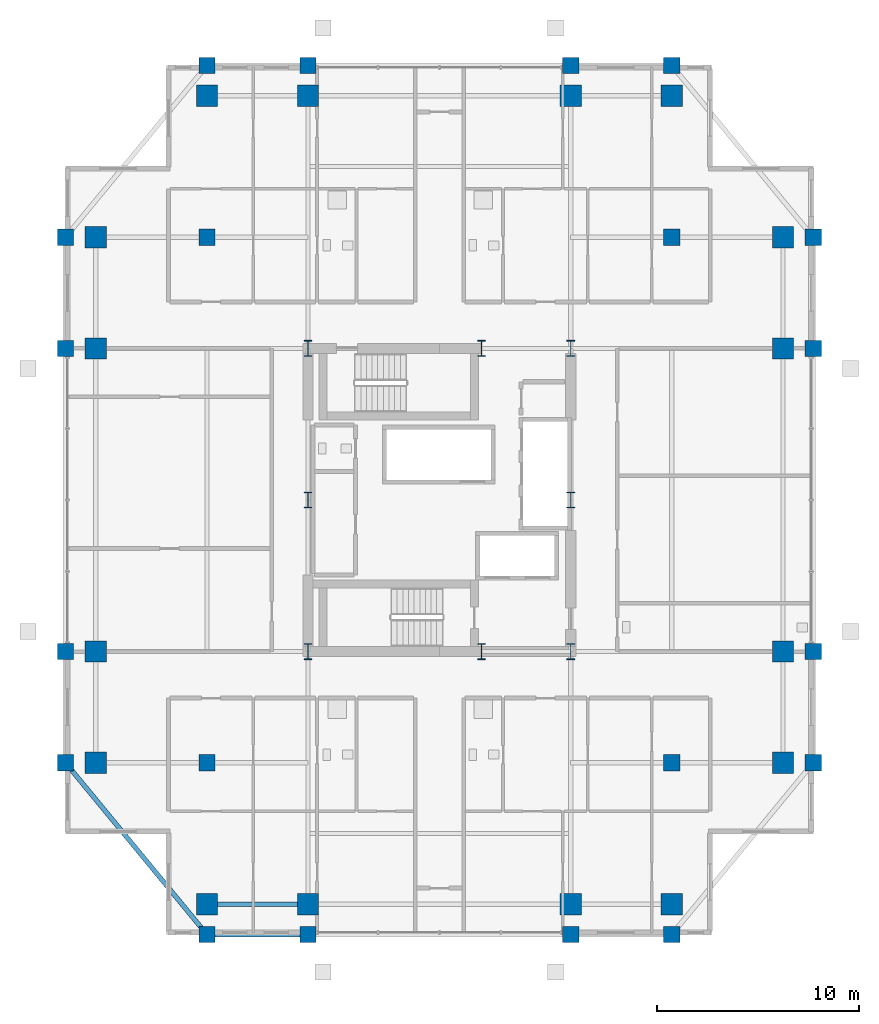
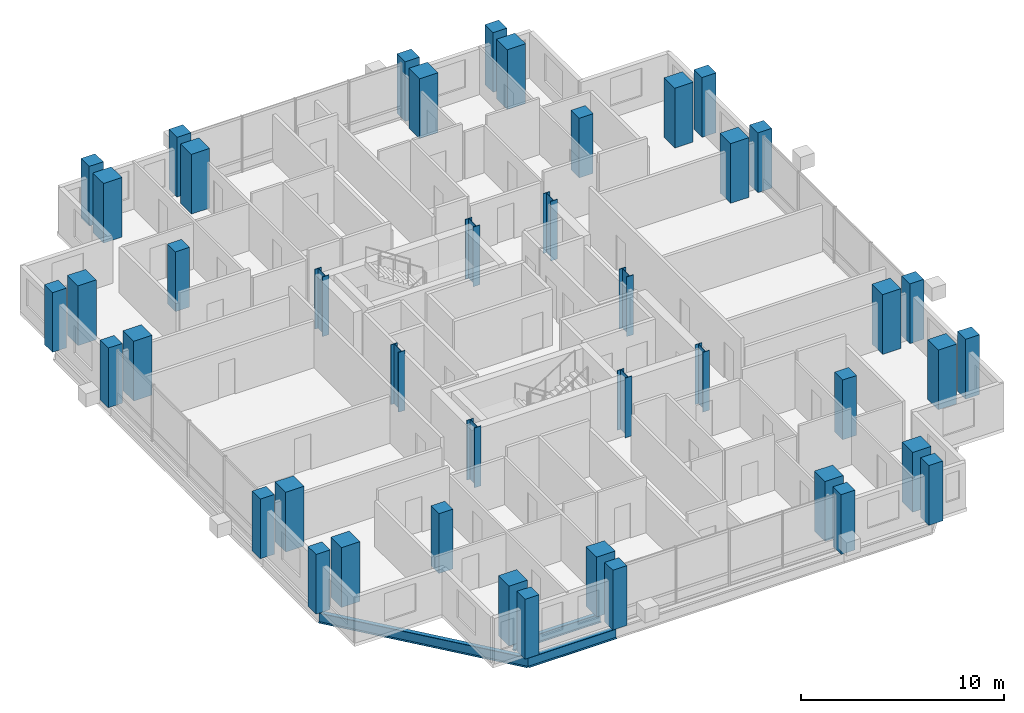
# One storey, part 1 of 24: 44 columns, 3 beams.
"""IFC4 building model written with IfcOpenShell, lengths in metres."""

from ifc_helpers import new_model, si_unit, direction, frame, origin, origin_2d, place, context, subcontext, project, spatial, rectangle, i_section, extrude, material, material_profile, profile_set, type_object, element, save


model = new_model("IFC4")

# Units and contexts
model_context = context("Model", 3, precision=1e-05, world=origin(), true_north=direction((0.0, 1.0)))
body_context = subcontext(model_context, "Body", "Model", "MODEL_VIEW")
ifc_project = project(units=[si_unit("LENGTHUNIT", "METRE"), si_unit("AREAUNIT", "SQUARE_METRE"), si_unit("VOLUMEUNIT", "CUBIC_METRE"), si_unit("PLANEANGLEUNIT", "RADIAN"), si_unit("MASSUNIT", "GRAM", prefix="KILO")], contexts=[model_context])

# Site, building, storey
site_placement = place(None, origin())
site = spatial("IfcSite", under=ifc_project, at=site_placement, CompositionType="ELEMENT")
building_placement = place(site_placement, origin())
building = spatial("IfcBuilding", under=site, at=building_placement, Name="Barlavira Tower and Art Museum", CompositionType="ELEMENT")
storey_placement = place(building_placement, frame((0.0, 0.0, 201.60009765625)))
storey = spatial("IfcBuildingStorey", under=building, at=storey_placement, Name="L52", CompositionType="ELEMENT", Elevation=201.60009765625)

# Columns
ifc_material_1 = material(Name="Steel S355", Category="steel")
ifc_material_profile_1 = material_profile(ifc_material_1, i_section(OverallWidth=0.382080078125, OverallDepth=0.785888671875, WebThickness=0.02001953125, FlangeThickness=0.032958984375, at=origin_2d()), Name="W760x314.0")
ifc_profile_set_1 = profile_set([ifc_material_profile_1], Name="Steel S355")
column_type_1 = type_object("IfcColumnType", Name="Core Composite Column W760x314 Steel S355", PredefinedType="COLUMN", material=ifc_profile_set_1)
for number, where, z_axis, x_axis, name in (
    (1, (-6.5, -7.5, 0.0), (0.0, 0.0, 1.0), (1.0, 0.0, 0.0), "L52 Column CC-L52-C1"),
    (2, (2.080078125, -7.5, 0.0), (0.0, 0.0, 1.0), (1.0, 0.0, 0.0), "L52 Column CC-L52-C2"),
    (3, (6.5, -7.5, 0.0), (0.0, 0.0, 1.0), (1.0, 0.0, 0.0), "L52 Column CC-L52-C3"),
    (4, (-6.5, 0.0, 0.0), (0.0, 0.0, 1.0), (1.0, 0.0, 0.0), "L52 Column CC-L52-C4"),
    (5, (6.5, 0.0, 0.0), (0.0, 0.0, 1.0), (1.0, 0.0, 0.0), "L52 Column CC-L52-C5"),
    (6, (-6.5, 7.5, 0.0), (0.0, 0.0, 1.0), (1.0, 0.0, 0.0), "L52 Column CC-L52-C6"),
    (7, (2.080078125, 7.5, 0.0), (0.0, 0.0, 1.0), (1.0, 0.0, 0.0), "L52 Column CC-L52-C7"),
    (8, (6.5, 7.5, 0.0), (0.0, 0.0, 1.0), (1.0, 0.0, 0.0), "L52 Column CC-L52-C8"),
):
    element("IfcColumn", number, at=place(storey_placement, frame(where, z_axis=z_axis, x_axis=x_axis)), inside=storey, type_object=column_type_1, Name=name, PredefinedType="COLUMN", context=body_context, shape_type="SweptSolid", body=[
        extrude(i_section(OverallWidth=0.382080078125, OverallDepth=0.785888671875, WebThickness=0.02001953125, FlangeThickness=0.032958984375, at=origin_2d()), origin(), (0.0, 0.0, 1.0), 3.599853515625),
    ])
ifc_material_2 = material(Name="Concrete C55", Category="concrete")
ifc_material_profile_2 = material_profile(ifc_material_2, rectangle(XDim=1.050048828125, YDim=1.050048828125, at=origin_2d()), Name="RC-COL 1050x1050")
ifc_profile_set_2 = profile_set([ifc_material_profile_2], Name="Concrete C55")
column_type_2 = type_object("IfcColumnType", Name="Perimeter Mega Column 1050x1050 Concrete C55", PredefinedType="USERDEFINED", material=ifc_profile_set_2)
for number, where, z_axis, x_axis, name in (
    (9, (-11.5, -20.0, 0.0), (0.0, 0.0, 1.0), (1.0, 0.0, 0.0), "L52 Column MC-L52-M01"),
    (10, (-6.5, -20.0, 0.0), (0.0, 0.0, 1.0), (1.0, 0.0, 0.0), "L52 Column MC-L52-M02"),
    (11, (6.5, -20.0, 0.0), (0.0, 0.0, 1.0), (1.0, 0.0, 0.0), "L52 Column MC-L52-M03"),
    (12, (11.5, -20.0, 0.0), (0.0, 0.0, 1.0), (1.0, 0.0, 0.0), "L52 Column MC-L52-M04"),
    (13, (17.0, -13.0, 0.0), (0.0, 0.0, 1.0), (1.0, 0.0, 0.0), "L52 Column MC-L52-M05"),
    (14, (17.0, -7.5, 0.0), (0.0, 0.0, 1.0), (1.0, 0.0, 0.0), "L52 Column MC-L52-M06"),
    (15, (17.0, 7.5, 0.0), (0.0, 0.0, 1.0), (1.0, 0.0, 0.0), "L52 Column MC-L52-M07"),
    (16, (17.0, 13.0, 0.0), (0.0, 0.0, 1.0), (1.0, 0.0, 0.0), "L52 Column MC-L52-M08"),
    (17, (11.5, 20.0, 0.0), (0.0, 0.0, 1.0), (1.0, 0.0, 0.0), "L52 Column MC-L52-M09"),
    (18, (6.5, 20.0, 0.0), (0.0, 0.0, 1.0), (1.0, 0.0, 0.0), "L52 Column MC-L52-M10"),
    (19, (-6.5, 20.0, 0.0), (0.0, 0.0, 1.0), (1.0, 0.0, 0.0), "L52 Column MC-L52-M11"),
    (20, (-11.5, 20.0, 0.0), (0.0, 0.0, 1.0), (1.0, 0.0, 0.0), "L52 Column MC-L52-M12"),
    (21, (-17.0, 13.0, 0.0), (0.0, 0.0, 1.0), (1.0, 0.0, 0.0), "L52 Column MC-L52-M13"),
    (22, (-17.0, 7.5, 0.0), (0.0, 0.0, 1.0), (1.0, 0.0, 0.0), "L52 Column MC-L52-M14"),
    (23, (-17.0, -7.5, 0.0), (0.0, 0.0, 1.0), (1.0, 0.0, 0.0), "L52 Column MC-L52-M15"),
    (24, (-17.0, -13.0, 0.0), (0.0, 0.0, 1.0), (1.0, 0.0, 0.0), "L52 Column MC-L52-M16"),
):
    element("IfcColumn", number, at=place(storey_placement, frame(where, z_axis=z_axis, x_axis=x_axis)), inside=storey, type_object=column_type_2, Name=name, ObjectType="MEGA COLUMN", PredefinedType="USERDEFINED", context=body_context, shape_type="SweptSolid", body=[
        extrude(rectangle(XDim=1.050048828125, YDim=1.050048828125, at=origin_2d()), origin(), (0.0, 0.0, 1.0), 3.599853515625),
    ])
ifc_material_3 = material(Name="Concrete C50", Category="concrete")
ifc_material_profile_3 = material_profile(ifc_material_3, rectangle(XDim=0.800048828125, YDim=0.800048828125, at=origin_2d()), Name="RC-COL 800x800")
ifc_profile_set_3 = profile_set([ifc_material_profile_3], Name="Concrete C50")
column_type_3 = type_object("IfcColumnType", Name="Podium Frame Column 800x800 Concrete C50", PredefinedType="COLUMN", material=ifc_profile_set_3)
for number, where, z_axis, x_axis, name in (
    (25, (-11.5, -13.0, 0.0), (0.0, 0.0, 1.0), (1.0, 0.0, 0.0), "L52 Column CI-L52-I1"),
    (26, (11.5, -13.0, 0.0), (0.0, 0.0, 1.0), (1.0, 0.0, 0.0), "L52 Column CI-L52-I2"),
    (27, (-11.5, 13.0, 0.0), (0.0, 0.0, 1.0), (1.0, 0.0, 0.0), "L52 Column CI-L52-I3"),
    (28, (11.5, 13.0, 0.0), (0.0, 0.0, 1.0), (1.0, 0.0, 0.0), "L52 Column CI-L52-I4"),
    (29, (-11.5, -21.5, 0.0), (0.0, 0.0, 1.0), (1.0, 0.0, 0.0), "L52 Column CZ3-L52-N01"),
    (30, (-6.5, -21.5, 0.0), (0.0, 0.0, 1.0), (1.0, 0.0, 0.0), "L52 Column CZ3-L52-N02"),
    (31, (6.5, -21.5, 0.0), (0.0, 0.0, 1.0), (1.0, 0.0, 0.0), "L52 Column CZ3-L52-N02B"),
    (32, (11.5, -21.5, 0.0), (0.0, 0.0, 1.0), (1.0, 0.0, 0.0), "L52 Column CZ3-L52-N03"),
    (33, (-18.5, -13.0, 0.0), (0.0, 0.0, 1.0), (1.0, 0.0, 0.0), "L52 Column CZ3-L52-N04"),
    (34, (-18.5, -7.5, 0.0), (0.0, 0.0, 1.0), (1.0, 0.0, 0.0), "L52 Column CZ3-L52-N05"),
    (35, (-18.5, 7.5, 0.0), (0.0, 0.0, 1.0), (1.0, 0.0, 0.0), "L52 Column CZ3-L52-N05B"),
    (36, (-18.5, 13.0, 0.0), (0.0, 0.0, 1.0), (1.0, 0.0, 0.0), "L52 Column CZ3-L52-N06"),
    (37, (-11.5, 21.5, 0.0), (0.0, 0.0, 1.0), (1.0, 0.0, 0.0), "L52 Column CZ3-L52-N07"),
    (38, (-6.5, 21.5, 0.0), (0.0, 0.0, 1.0), (1.0, 0.0, 0.0), "L52 Column CZ3-L52-N08"),
    (39, (6.5, 21.5, 0.0), (0.0, 0.0, 1.0), (1.0, 0.0, 0.0), "L52 Column CZ3-L52-N08B"),
    (40, (11.5, 21.5, 0.0), (0.0, 0.0, 1.0), (1.0, 0.0, 0.0), "L52 Column CZ3-L52-N09"),
    (41, (18.5, -13.0, 0.0), (0.0, 0.0, 1.0), (1.0, 0.0, 0.0), "L52 Column CZ3-L52-N10"),
    (42, (18.5, -7.5, 0.0), (0.0, 0.0, 1.0), (1.0, 0.0, 0.0), "L52 Column CZ3-L52-N11"),
    (43, (18.5, 7.5, 0.0), (0.0, 0.0, 1.0), (1.0, 0.0, 0.0), "L52 Column CZ3-L52-N11B"),
    (44, (18.5, 13.0, 0.0), (0.0, 0.0, 1.0), (1.0, 0.0, 0.0), "L52 Column CZ3-L52-N12"),
):
    element("IfcColumn", number, at=place(storey_placement, frame(where, z_axis=z_axis, x_axis=x_axis)), inside=storey, type_object=column_type_3, Name=name, PredefinedType="COLUMN", context=body_context, shape_type="SweptSolid", body=[
        extrude(rectangle(XDim=0.800048828125, YDim=0.800048828125, at=origin_2d()), origin(), (0.0, 0.0, 1.0), 3.599853515625),
    ])

# Beams
ifc_material_profile_4 = material_profile(ifc_material_1, i_section(OverallWidth=0.22998046875, OverallDepth=0.616943359375, WebThickness=0.01318359375, FlangeThickness=0.022216796875, at=origin_2d()), Name="W610x140.0")
ifc_profile_set_4 = profile_set([ifc_material_profile_4], Name="Steel S355")
beam_type_1 = type_object("IfcBeamType", Name="Upper Shaft Spandrel Edge Beam W610x140 Steel S355", PredefinedType="SPANDREL", material=ifc_profile_set_4)
beam_1_placement = place(storey_placement, frame((-11.5, -21.5, -0.528564453125), z_axis=(1.0, 0.0, 0.0), x_axis=(0.0, 1.0, 0.0)))
element("IfcBeam", 45, at=beam_1_placement, inside=storey, type_object=beam_type_1, Name="L52 Spandrel 1", PredefinedType="SPANDREL", context=body_context, shape_type="SweptSolid", body=[
    extrude(i_section(OverallWidth=0.22998046875, OverallDepth=0.616943359375, WebThickness=0.01318359375, FlangeThickness=0.022216796875, at=origin_2d()), origin(), (0.0, 0.0, 1.0), 5.0),
])
beam_2_placement = place(storey_placement, frame((-18.5, -13.0, -0.528564453125), z_axis=(0.635707252861, -0.771930235617, 0.0), x_axis=(0.771930235617, 0.635707252861, 0.0)))
element("IfcBeam", 46, at=beam_2_placement, inside=storey, type_object=beam_type_1, Name="L52 Spandrel 16", PredefinedType="SPANDREL", context=body_context, shape_type="SweptSolid", body=[
    extrude(i_section(OverallWidth=0.22998046875, OverallDepth=0.616943359375, WebThickness=0.01318359375, FlangeThickness=0.022216796875, at=origin_2d()), origin(), (0.0, 0.0, 1.0), 11.011474609375),
])
ifc_material_profile_5 = material_profile(ifc_material_1, i_section(OverallWidth=0.2109375, OverallDepth=0.5390625, WebThickness=0.01171875, FlangeThickness=0.018798828125, at=origin_2d()), Name="W530x109.0")
ifc_profile_set_5 = profile_set([ifc_material_profile_5], Name="Steel S355")
beam_type_2 = type_object("IfcBeamType", Name="Zone 3-4 Primary Floor Girder W530x109 Steel S355", PredefinedType="BEAM", material=ifc_profile_set_5)
beam_3_placement = place(storey_placement, frame((-11.5, -20.0, -0.489501953125), z_axis=(1.0, 0.0, 0.0), x_axis=(0.0, 1.0, 0.0)))
element("IfcBeam", 47, at=beam_3_placement, inside=storey, type_object=beam_type_2, Name="L52 Girder M-S1", PredefinedType="BEAM", context=body_context, shape_type="SweptSolid", body=[
    extrude(i_section(OverallWidth=0.2109375, OverallDepth=0.5390625, WebThickness=0.01171875, FlangeThickness=0.018798828125, at=origin_2d()), origin(), (0.0, 0.0, 1.0), 5.0),
])

save(model, "model.ifc")
